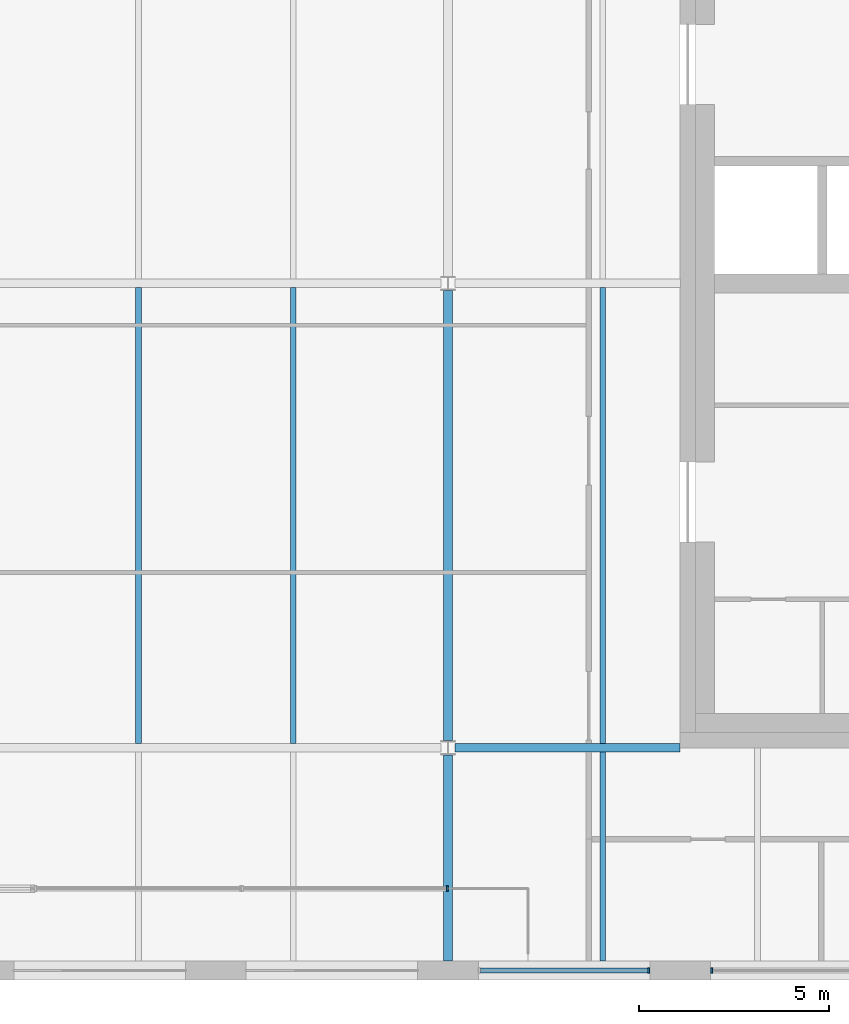
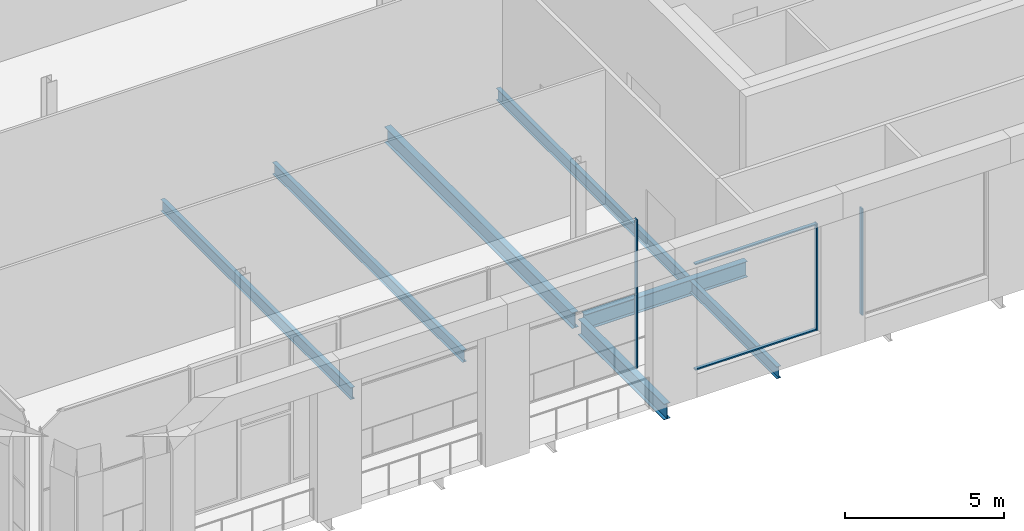
# One storey, part 3 of 19: 7 beams, 5 members, 3 elements without a shape of their own.
"""IFC4 building model written with IfcOpenShell, lengths in metres."""

from ifc_helpers import new_model, si_unit, direction, frame, origin, origin_2d, place, context, subcontext, project, spatial, rectangle, i_section, extrude, material, material_profile, profile_set, type_object, element, aggregate, save


model = new_model("IFC4")

# Units and contexts
model_context = context("Model", 3, precision=1e-05, world=origin(), true_north=direction((0.0, 1.0)))
body_context = subcontext(model_context, "Body", "Model", "MODEL_VIEW")
ifc_project = project(units=[si_unit("LENGTHUNIT", "METRE"), si_unit("AREAUNIT", "SQUARE_METRE"), si_unit("VOLUMEUNIT", "CUBIC_METRE"), si_unit("PLANEANGLEUNIT", "RADIAN"), si_unit("MASSUNIT", "GRAM", prefix="KILO")], contexts=[model_context])

# Site, building, storey
site_placement = place(None, origin())
site = spatial("IfcSite", under=ifc_project, at=site_placement, CompositionType="ELEMENT")
building_placement = place(site_placement, origin())
building = spatial("IfcBuilding", under=site, at=building_placement, Name="Tessera Gate Towers", CompositionType="ELEMENT")
storey_placement = place(building_placement, frame((0.0, 0.0, 259.699951171875)))
storey = spatial("IfcBuildingStorey", under=building, at=storey_placement, Name="L65", CompositionType="ELEMENT", Elevation=259.699951171875)

# Beams
ifc_material_1 = material(Name="Steel 350W", Category="steel")
ifc_material_profile_1 = material_profile(ifc_material_1, i_section(OverallWidth=0.22802734375, OverallDepth=0.60302734375, WebThickness=0.010498046875, FlangeThickness=0.014892578125, at=origin_2d()), Name="W610x101")
ifc_profile_set_1 = profile_set([ifc_material_profile_1], Name="Steel 350W")
beam_type_1 = type_object("IfcBeamType", Name="FLOOR GIRDER W610x101", PredefinedType="BEAM", material=ifc_profile_set_1)
beam_1_placement = place(storey_placement, frame((24.58447265625, 24.39990234375, -0.551513671875), z_axis=(1.0, 0.0, 0.0), x_axis=(0.0, 1.0, 0.0)))
element("IfcBeam", 1, at=beam_1_placement, inside=storey, type_object=beam_type_1, Name="T1-GD-L65-6310", PredefinedType="BEAM", context=body_context, shape_type="SweptSolid", body=[
    extrude(i_section(OverallWidth=0.22802734375, OverallDepth=0.60302734375, WebThickness=0.010498046875, FlangeThickness=0.014892578125, at=origin_2d()), origin(), (0.0, 0.0, 1.0), 5.91455078125),
])
beam_2_placement = place(storey_placement, frame((24.39990234375, 18.799072265625, -0.551513671875), z_axis=(0.0, 1.0, 0.0), x_axis=(-1.0, 0.0, 0.0)))
element("IfcBeam", 2, at=beam_2_placement, inside=storey, type_object=beam_type_1, Name="T1-GD-L65-6324", PredefinedType="BEAM", context=body_context, shape_type="SweptSolid", body=[
    extrude(i_section(OverallWidth=0.22802734375, OverallDepth=0.60302734375, WebThickness=0.010498046875, FlangeThickness=0.014892578125, at=origin_2d()), origin(), (0.0, 0.0, 1.0), 5.41650390625),
])
beam_3_placement = place(storey_placement, frame((24.39990234375, 24.58447265625, -0.551513671875), z_axis=(0.0, 1.0, 0.0), x_axis=(-1.0, 0.0, 0.0)))
element("IfcBeam", 3, at=beam_3_placement, inside=storey, type_object=beam_type_1, Name="T1-GD-L65-6325", PredefinedType="BEAM", context=body_context, shape_type="SweptSolid", body=[
    extrude(i_section(OverallWidth=0.22802734375, OverallDepth=0.60302734375, WebThickness=0.010498046875, FlangeThickness=0.014892578125, at=origin_2d()), origin(), (0.0, 0.0, 1.0), 11.8310546875),
])
ifc_material_2 = material(Name="Steel 350W", Category="steel")
ifc_material_profile_2 = material_profile(ifc_material_2, i_section(OverallWidth=0.153076171875, OverallDepth=0.455078125, WebThickness=0.008056640625, FlangeThickness=0.01318359375, at=origin_2d()), Name="W460x60")
ifc_profile_set_2 = profile_set([ifc_material_profile_2], Name="Steel 350W")
beam_type_2 = type_object("IfcBeamType", Name="FLOOR SECONDARY W460x60", PredefinedType="BEAM", material=ifc_profile_set_2)
for number, where, z_axis, x_axis, name in (
    (4, (16.2666015625, 24.513916015625, -0.4775390625), (0.0, 1.0, 0.0), (-1.0, 0.0, 0.0), "T1-BM-L65-6344"),
    (5, (20.333251953125, 24.513916015625, -0.4775390625), (0.0, 1.0, 0.0), (-1.0, 0.0, 0.0), "T1-BM-L65-6348"),
):
    element("IfcBeam", number, at=place(storey_placement, frame(where, z_axis=z_axis, x_axis=x_axis)), inside=storey, type_object=beam_type_2, Name=name, PredefinedType="BEAM", context=body_context, shape_type="SweptSolid", body=[
        extrude(i_section(OverallWidth=0.153076171875, OverallDepth=0.455078125, WebThickness=0.008056640625, FlangeThickness=0.01318359375, at=origin_2d()), origin(), (0.0, 0.0, 1.0), 11.97216796875),
    ])
beam_4_placement = place(storey_placement, frame((28.466796875, 18.800048828125, -0.4775390625), z_axis=(0.0, 1.0, 0.0), x_axis=(-1.0, 0.0, 0.0)))
element("IfcBeam", 6, at=beam_4_placement, inside=storey, type_object=beam_type_2, Name="T1-BM-L65-6351", PredefinedType="BEAM", context=body_context, shape_type="SweptSolid", body=[
    extrude(i_section(OverallWidth=0.153076171875, OverallDepth=0.455078125, WebThickness=0.008056640625, FlangeThickness=0.01318359375, at=origin_2d()), origin(), (0.0, 0.0, 1.0), 5.48583984375),
])
beam_5_placement = place(storey_placement, frame((28.466796875, 24.513916015625, -0.4775390625), z_axis=(0.0, 1.0, 0.0), x_axis=(-1.0, 0.0, 0.0)))
element("IfcBeam", 7, at=beam_5_placement, inside=storey, type_object=beam_type_2, Name="T1-BM-L65-6352", PredefinedType="BEAM", context=body_context, shape_type="SweptSolid", body=[
    extrude(i_section(OverallWidth=0.153076171875, OverallDepth=0.455078125, WebThickness=0.008056640625, FlangeThickness=0.01318359375, at=origin_2d()), origin(), (0.0, 0.0, 1.0), 11.97216796875),
])

# Curtain wall, member
ifc_material_3 = material(Name="Aluminium frame", Category="aluminium")
curtain_wall_type = type_object("IfcCurtainWallType", Name="CW-S4 observation glass", PredefinedType="NOTDEFINED", material=ifc_material_3)
curtain_wall_1_placement = place(storey_placement, origin())
curtain_wall_1 = element("IfcCurtainWall", 8, at=curtain_wall_1_placement, inside=storey, type_object=curtain_wall_type, Name="Curtain wall observation glass 0089", PredefinedType="NOTDEFINED")
ifc_material_4 = material(Name="Aluminium frame", Category="aluminium")
ifc_material_profile_3 = material_profile(ifc_material_4, rectangle(XDim=0.050048828125, YDim=0.14990234375, at=origin_2d()), Name="AL 50x150")
ifc_profile_set_3 = profile_set([ifc_material_profile_3], Name="Aluminium frame")
member_type_1 = type_object("IfcMemberType", Name="MU-S4 mullion 50x150", PredefinedType="MULLION", material=ifc_profile_set_3)
member_1_placement = place(storey_placement, frame((29.675048828125, 18.550048828125, 0.900146484375), z_axis=(0.0, 0.0, 1.0), x_axis=(1.0, 0.0, 0.0)))
member_1 = element("IfcMember", 9, at=member_1_placement, type_object=member_type_1, Name="T1-CW4-0089 mullion 2", PredefinedType="MULLION", context=body_context, shape_type="SweptSolid", body=[
    extrude(rectangle(XDim=0.050048828125, YDim=0.14990234375, at=origin_2d()), origin(), (0.0, 0.0, 1.0), 4.099853515625),
])

curtain_wall_2_placement = place(storey_placement, origin())
curtain_wall_2 = element("IfcCurtainWall", 10, at=curtain_wall_2_placement, inside=storey, type_object=curtain_wall_type, Name="Curtain wall observation glass 0090", PredefinedType="NOTDEFINED")
member_2_placement = place(storey_placement, frame((31.324951171875, 18.550048828125, 0.900146484375), z_axis=(0.0, 0.0, 1.0), x_axis=(1.0, 0.0, 0.0)))
member_2 = element("IfcMember", 11, at=member_2_placement, type_object=member_type_1, Name="T1-CW4-0090 mullion 1", PredefinedType="MULLION", context=body_context, shape_type="SweptSolid", body=[
    extrude(rectangle(XDim=0.050048828125, YDim=0.14990234375, at=origin_2d()), origin(), (0.0, 0.0, 1.0), 4.099853515625),
])
aggregate(curtain_wall_2, [member_2])

curtain_wall_3_placement = place(storey_placement, origin())
curtain_wall_3 = element("IfcCurtainWall", 12, at=curtain_wall_3_placement, inside=storey, type_object=curtain_wall_type, Name="Curtain wall observation glass 0118", PredefinedType="NOTDEFINED")
member_3_placement = place(storey_placement, frame((24.375, 20.699951171875, 0.0), z_axis=(0.0, 0.0, 1.0), x_axis=(1.0, 0.0, 0.0)))
member_3 = element("IfcMember", 13, at=member_3_placement, type_object=member_type_1, Name="T1-CW4-0118 mullion 2", PredefinedType="MULLION", context=body_context, shape_type="SweptSolid", body=[
    extrude(rectangle(XDim=0.050048828125, YDim=0.14990234375, at=origin_2d()), origin(), (0.0, 0.0, 1.0), 5.699951171875),
])
aggregate(curtain_wall_3, [member_3])

# Member
ifc_material_5 = material(Name="Aluminium frame", Category="aluminium")
ifc_material_profile_4 = material_profile(ifc_material_5, rectangle(XDim=0.1201171875, YDim=0.050048828125, at=origin_2d()), Name="AL 50x120")
ifc_profile_set_4 = profile_set([ifc_material_profile_4], Name="Aluminium frame")
member_type_2 = type_object("IfcMemberType", Name="TR-S4 transom 50x120", PredefinedType="USERDEFINED", material=ifc_profile_set_4)
member_4_placement = place(storey_placement, frame((25.25, 18.550048828125, 0.925048828125), z_axis=(1.0, 0.0, 0.0), x_axis=(0.0, 1.0, 0.0)))
member_4 = element("IfcMember", 14, at=member_4_placement, type_object=member_type_2, Name="T1-CW4-0089 transom 1.1", ObjectType="TRANSOM", PredefinedType="USERDEFINED", context=body_context, shape_type="SweptSolid", body=[
    extrude(rectangle(XDim=0.1201171875, YDim=0.050048828125, at=origin_2d()), origin(), (0.0, 0.0, 1.0), 4.39990234375),
])

member_5_placement = place(storey_placement, frame((25.25, 18.550048828125, 4.97509765625), z_axis=(1.0, 0.0, 0.0), x_axis=(0.0, 1.0, 0.0)))
member_5 = element("IfcMember", 15, at=member_5_placement, type_object=member_type_2, Name="T1-CW4-0089 transom 1.2", ObjectType="TRANSOM", PredefinedType="USERDEFINED", context=body_context, shape_type="SweptSolid", body=[
    extrude(rectangle(XDim=0.1201171875, YDim=0.050048828125, at=origin_2d()), origin(), (0.0, 0.0, 1.0), 4.39990234375),
])

aggregate(curtain_wall_1, [member_1, member_4, member_5])

save(model, "model.ifc")
